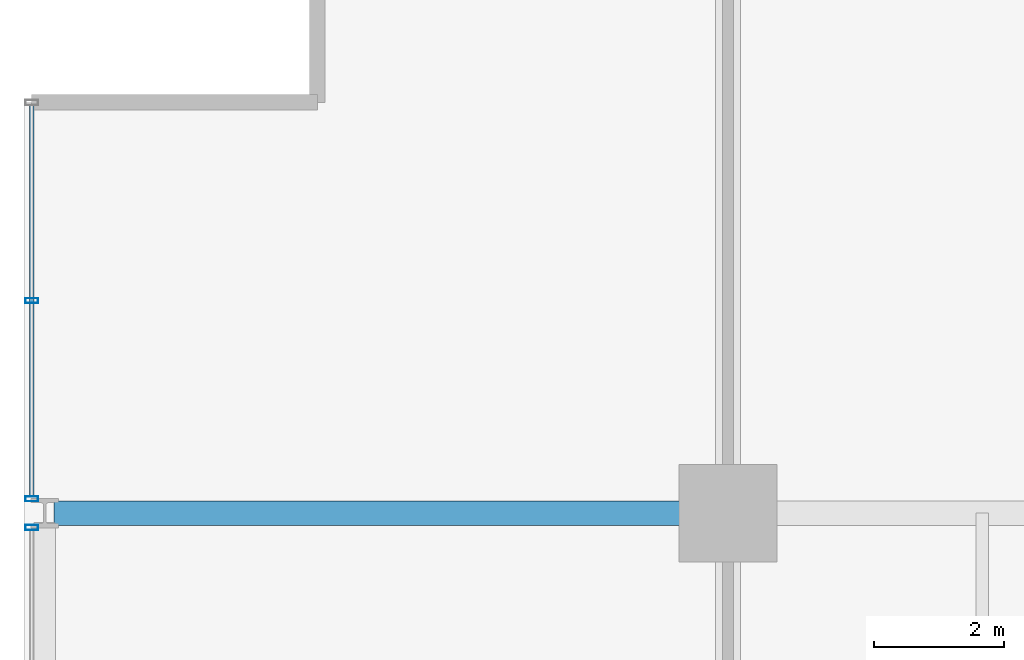
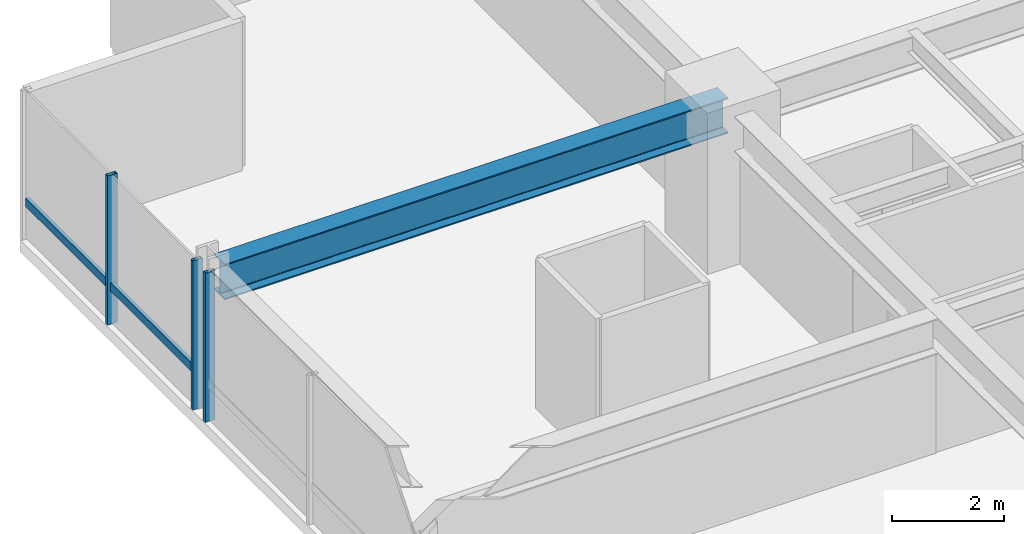
# One storey, part 18 of 34: 4 members, 1 beam, 2 elements without a shape of their own.
"""IFC4 building model written with IfcOpenShell, lengths in metres."""

from ifc_helpers import new_model, si_unit, direction, frame, origin, origin_2d, place, context, subcontext, project, spatial, hollow_rectangle, i_section, extrude, material, layer, layer_set, material_profile, profile_set, type_object, element, aggregate, save


model = new_model("IFC4")

# Units and contexts
model_context = context("Model", 3, precision=1e-05, world=origin(), true_north=direction((0.0, 1.0)))
body_context = subcontext(model_context, "Body", "Model", "MODEL_VIEW")
ifc_project = project(units=[si_unit("LENGTHUNIT", "METRE"), si_unit("AREAUNIT", "SQUARE_METRE"), si_unit("VOLUMEUNIT", "CUBIC_METRE"), si_unit("PLANEANGLEUNIT", "RADIAN"), si_unit("MASSUNIT", "GRAM", prefix="KILO")], contexts=[model_context])

# Site, building, storey
site_placement = place(None, origin())
site = spatial("IfcSite", under=ifc_project, at=site_placement, CompositionType="ELEMENT")
building_placement = place(site_placement, origin())
building = spatial("IfcBuilding", under=site, at=building_placement, Name="Drelvath Grand Hotel", CompositionType="ELEMENT")
storey_placement = place(building_placement, frame((0.0, 0.0, 112.800048828125)))
storey = spatial("IfcBuildingStorey", under=building, at=storey_placement, Name="L28", CompositionType="ELEMENT", Elevation=112.800048828125)

# Curtain wall, member
ifc_material_1 = material(Name="Champagne Bronze Anodised Aluminium Frame", Category="aluminium")
ifc_layer = layer(ifc_material_1, 0.199951171875)
ifc_layer_set = layer_set([ifc_layer], Name="Champagne Bronze Anodised Aluminium Frame")
curtain_wall_type = type_object("IfcCurtainWallType", Name="Stick Curtain Wall CW-03 Champagne Bronze Mid-Rise", PredefinedType="NOTDEFINED", material=ifc_layer_set)
curtain_wall_1_placement = place(storey_placement, origin())
curtain_wall_1 = element("IfcCurtainWall", 1, at=curtain_wall_1_placement, inside=storey, type_object=curtain_wall_type, Name="L28 CW-03 Curtain Wall CW03-L28-WN3", PredefinedType="NOTDEFINED")
ifc_material_profile_1 = material_profile(ifc_material_1, hollow_rectangle(XDim=0.074951171875, YDim=0.179931640625, WallThickness=0.0048828125, at=origin_2d()), Name="HSS180X75X5")
ifc_profile_set_1 = profile_set([ifc_material_profile_1], Name="Champagne Bronze Anodised Aluminium Frame")
member_type_1 = type_object("IfcMemberType", Name="Curtain Wall Horizontal Transom CW-03 HSS180X75X5", PredefinedType="USERDEFINED", material=ifc_profile_set_1)
member_1_placement = place(storey_placement, frame((-26.8798828125, 43.459716796875, 0.81005859375), z_axis=(0.0, 1.0, 0.0), x_axis=(-1.0, 0.0, 0.0)))
member_1 = element("IfcMember", 2, at=member_1_placement, type_object=member_type_1, Name="CW03-L28-WN3 Sill Transom", ObjectType="TRANSOM", PredefinedType="USERDEFINED", context=body_context, shape_type="SweptSolid", body=[
    extrude(hollow_rectangle(XDim=0.074951171875, YDim=0.179931640625, WallThickness=0.0048828125, at=origin_2d()), origin(), (0.0, 0.0, 1.0), 6.000244140625),
])

curtain_wall_2_placement = place(storey_placement, origin())
curtain_wall_2 = element("IfcCurtainWall", 3, at=curtain_wall_2_placement, inside=storey, type_object=curtain_wall_type, Name="L28 CW-03 Curtain Wall CW03-L28-WN2", PredefinedType="NOTDEFINED")
ifc_material_profile_2 = material_profile(ifc_material_1, hollow_rectangle(XDim=0.080078125, YDim=0.199951171875, WallThickness=0.0048828125, at=origin_2d()), Name="HSS200X80X5")
ifc_profile_set_2 = profile_set([ifc_material_profile_2], Name="Champagne Bronze Anodised Aluminium Frame")
member_type_2 = type_object("IfcMemberType", Name="Curtain Wall Vertical Mullion CW-03 HSS200X80X5", PredefinedType="MULLION", material=ifc_profile_set_2)
member_2_placement = place(storey_placement, frame((-26.8798828125, 42.98046875, 0.0), z_axis=(0.0, 0.0, 1.0), x_axis=(0.0, 1.0, 0.0)))
member_2 = element("IfcMember", 4, at=member_2_placement, type_object=member_type_2, Name="CW03-L28-WN2 Mullion 3", PredefinedType="MULLION", context=body_context, shape_type="SweptSolid", body=[
    extrude(hollow_rectangle(XDim=0.080078125, YDim=0.199951171875, WallThickness=0.0048828125, at=origin_2d()), origin(), (0.0, 0.0, 1.0), 3.239990234375),
])
aggregate(curtain_wall_2, [member_2])

# Member
member_3_placement = place(storey_placement, frame((-26.8798828125, 43.419677734375, 0.0), z_axis=(0.0, 0.0, 1.0), x_axis=(0.0, 1.0, 0.0)))
member_3 = element("IfcMember", 5, at=member_3_placement, type_object=member_type_2, Name="CW03-L28-WN3 Mullion 1", PredefinedType="MULLION", context=body_context, shape_type="SweptSolid", body=[
    extrude(hollow_rectangle(XDim=0.080078125, YDim=0.199951171875, WallThickness=0.0048828125, at=origin_2d()), origin(), (0.0, 0.0, 1.0), 3.239990234375),
])

member_4_placement = place(storey_placement, frame((-26.8798828125, 46.459716796875, 0.0), z_axis=(0.0, 0.0, 1.0), x_axis=(0.0, 1.0, 0.0)))
member_4 = element("IfcMember", 6, at=member_4_placement, type_object=member_type_2, Name="CW03-L28-WN3 Mullion 2", PredefinedType="MULLION", context=body_context, shape_type="SweptSolid", body=[
    extrude(hollow_rectangle(XDim=0.080078125, YDim=0.199951171875, WallThickness=0.0048828125, at=origin_2d()), origin(), (0.0, 0.0, 1.0), 3.239990234375),
])

aggregate(curtain_wall_1, [member_3, member_4, member_1])

# Beam
ifc_material_2 = material(Name="Steel ASTM A992 Gr 50", Category="steel")
ifc_material_profile_3 = material_profile(ifc_material_2, i_section(OverallWidth=0.380615234375, OverallDepth=0.773193359375, WebThickness=0.0166015625, FlangeThickness=0.027099609375, FilletRadius=0.02490234375, at=origin_2d()), Name="W30X173")
ifc_profile_set_3 = profile_set([ifc_material_profile_3], Name="Steel ASTM A992 Gr 50")
beam_type = type_object("IfcBeamType", Name="Primary Floor Girder W30X173", PredefinedType="BEAM", material=ifc_profile_set_3)
beam_placement = place(storey_placement, frame((-26.5400390625, 43.199951171875, 2.853271484375), z_axis=(1.0, 0.0, 0.0), x_axis=(0.0, 1.0, 0.0)))
element("IfcBeam", 7, at=beam_placement, inside=storey, type_object=beam_type, Name="L28 West Grid Girder G", PredefinedType="BEAM", context=body_context, shape_type="SweptSolid", body=[
    extrude(i_section(OverallWidth=0.380615234375, OverallDepth=0.773193359375, WebThickness=0.0166015625, FlangeThickness=0.027099609375, FilletRadius=0.02490234375, at=origin_2d()), origin(), (0.0, 0.0, 1.0), 10.340087890625),
])

save(model, "model.ifc")
